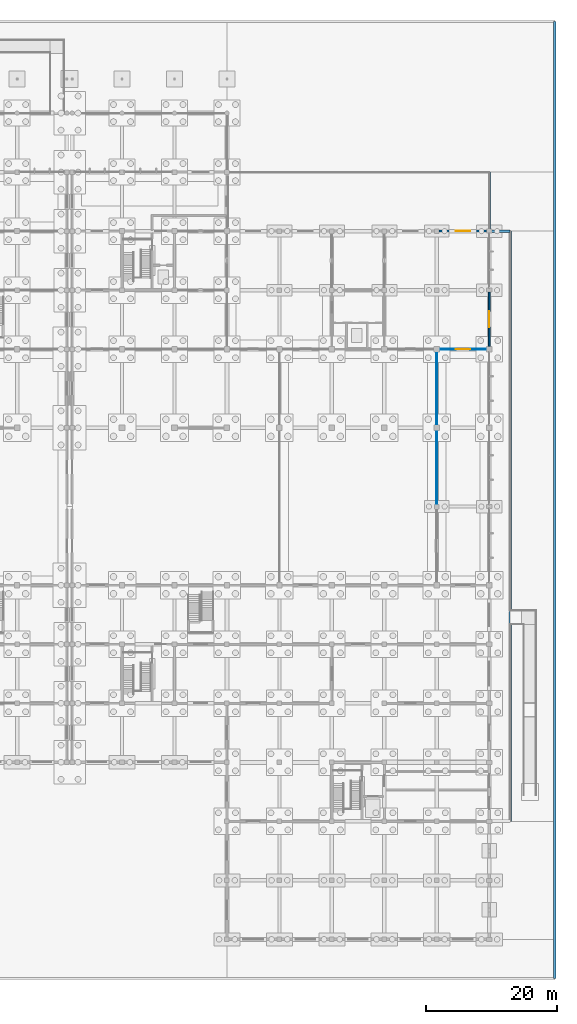
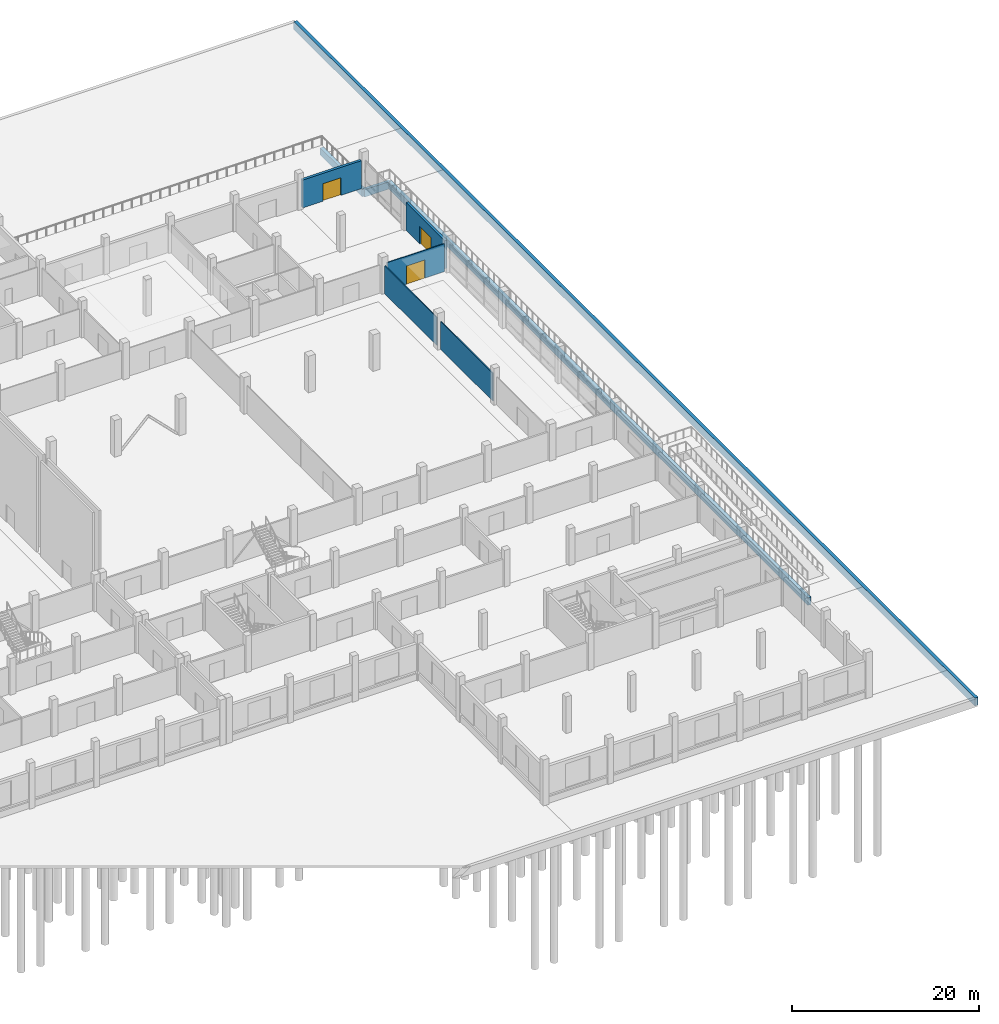
# One storey, part 57 of 72: 9 walls, 3 doors, 3 openings.
"""IFC4 building model written with IfcOpenShell, lengths in metres."""

from ifc_helpers import new_model, si_unit, direction, frame, frame_2d, origin, place, context, subcontext, project, spatial, rectangle, extrude, material, layer, layer_set, type_object, element, fill, save


model = new_model("IFC4")

# Units and contexts
model_context = context("Model", 3, precision=1e-05, world=origin(), true_north=direction((0.0, 1.0)))
body_context = subcontext(model_context, "Body", "Model", "MODEL_VIEW")
ifc_project = project(units=[si_unit("LENGTHUNIT", "METRE"), si_unit("AREAUNIT", "SQUARE_METRE"), si_unit("VOLUMEUNIT", "CUBIC_METRE"), si_unit("PLANEANGLEUNIT", "RADIAN"), si_unit("MASSUNIT", "GRAM", prefix="KILO"), si_unit("THERMODYNAMICTEMPERATUREUNIT", "KELVIN"), si_unit("POWERUNIT", "WATT")], contexts=[model_context])

# Site, building, storey
site_placement = place(None, origin())
site = spatial("IfcSite", under=ifc_project, at=site_placement, CompositionType="ELEMENT")
building_placement = place(site_placement, origin())
building = spatial("IfcBuilding", under=site, at=building_placement, Name="Kronsvod Quay Wholesale Market", CompositionType="ELEMENT")
storey_placement = place(building_placement, origin())
storey = spatial("IfcBuildingStorey", under=building, at=storey_placement, Name="L00", CompositionType="ELEMENT", Elevation=0.0)

# Wall, opening, door
ifc_material_1 = material(Name="Precast concrete C40/50", Category="concrete")
ifc_layer_1 = layer(ifc_material_1, 0.300048828125)
ifc_layer_set_1 = layer_set([ifc_layer_1], Name="Precast concrete C40/50")
wall_type_1 = type_object("IfcWallType", Name="Wall_ExtPrecast300", PredefinedType="SOLIDWALL", material=ifc_layer_set_1)
wall_1_placement = place(storey_placement, frame((192.0, 90.39501953125, 0.0), z_axis=(0.0, 0.0, 1.0), x_axis=(0.0, 1.0, 0.0)))
wall_1 = element("IfcWall", 1, at=wall_1_placement, inside=storey, type_object=wall_type_1, Name="EW-Y-L00-0098", PredefinedType="SOLIDWALL", context=body_context, shape_type="SweptSolid", body=[
    extrude(rectangle(XDim=8.31005859375, YDim=0.300048828125, at=frame_2d((4.155029296875, 0.0))), origin(), (0.0, 0.0, 1.0), 3.64990234375),
])
opening_1_placement = place(wall_1_placement, frame((2.955078125, 0.0, 0.0)))
opening_1 = element("IfcOpeningElement", 2, at=opening_1_placement, cuts=wall_1, Name="Opening ED-051", PredefinedType="OPENING", context=body_context, shape_type="SweptSolid", body=[
    extrude(rectangle(XDim=2.39990234375, YDim=2.300048828125, at=frame_2d((1.199951171875, 1.14990234375))), frame((0.0, 0.16015625, 0.0), z_axis=(0.0, -1.0, 0.0), x_axis=(1.0, 0.0, 0.0)), (0.0, 0.0, 1.0), 0.320068359375),
])
ifc_material_2 = material(Name="Aluminium and safety glass", Category="aluminium")
door_type_1 = type_object("IfcDoorType", Name="Door_ExitDouble240x230", OperationType="DOUBLE_DOOR_SINGLE_SWING", PredefinedType="DOOR", material=ifc_material_2)
door_1_placement = place(opening_1_placement, frame((2.39990234375, 0.0, 0.0), z_axis=(0.0, 0.0, 1.0), x_axis=(-1.0, 0.0, 0.0)))
door_1 = element("IfcDoor", 3, at=door_1_placement, inside=storey, type_object=door_type_1, Name="Street Exit Door ED-051", OperationType="DOUBLE_DOOR_SINGLE_SWING", OverallHeight=2.300048828125, OverallWidth=2.39990234375, PredefinedType="DOOR", context=body_context, shape_type="SweptSolid", body=[
    extrude(rectangle(XDim=2.39990234375, YDim=2.300048828125, at=frame_2d((1.199951171875, 1.14990234375))), frame((0.0, 0.02490234375, 0.0), z_axis=(0.0, -1.0, 0.0), x_axis=(1.0, 0.0, 0.0)), (0.0, 0.0, 1.0), 0.050048828125),
])
fill(opening_1, door_1)

ifc_material_3 = material(Name="Precast concrete C40/50", Category="concrete")
ifc_layer_2 = layer(ifc_material_3, 0.320068359375)
ifc_layer_set_2 = layer_set([ifc_layer_2], Name="Precast concrete C40/50")
wall_type_2 = type_object("IfcWallType", Name="Wall_ExtPrecast320", PredefinedType="SOLIDWALL", material=ifc_layer_set_2)
wall_2_placement = place(storey_placement, frame((191.60498046875, 108.0, 0.0), z_axis=(0.0, 0.0, 1.0), x_axis=(-1.0, 0.0, 0.0)))
wall_2 = element("IfcWall", 4, at=wall_2_placement, inside=storey, type_object=wall_type_2, Name="EW-X-L00-0077", PredefinedType="SOLIDWALL", context=body_context, shape_type="SweptSolid", body=[
    extrude(rectangle(XDim=7.260009765625, YDim=0.320068359375, at=frame_2d((3.6298828125, 0.0))), origin(), (0.0, 0.0, 1.0), 3.64990234375),
])
opening_2_placement = place(wall_2_placement, frame((2.530029296875, 0.0, 0.0)))
opening_2 = element("IfcOpeningElement", 5, at=opening_2_placement, cuts=wall_2, Name="Opening ED-043", PredefinedType="OPENING", context=body_context, shape_type="SweptSolid", body=[
    extrude(rectangle(XDim=2.199951171875, YDim=2.300048828125, at=frame_2d((1.10009765625, 1.14990234375))), frame((0.0, 0.169921875, 0.0), z_axis=(0.0, -1.0, 0.0), x_axis=(1.0, 0.0, 0.0)), (0.0, 0.0, 1.0), 0.340087890625),
])
ifc_material_4 = material(Name="Aluminium and safety glass", Category="aluminium")
door_type_2 = type_object("IfcDoorType", Name="Door_ExitDouble220x230", OperationType="DOUBLE_DOOR_SINGLE_SWING", PredefinedType="DOOR", material=ifc_material_4)
door_2_placement = place(opening_2_placement, frame((2.199951171875, 0.0, 0.0), z_axis=(0.0, 0.0, 1.0), x_axis=(-1.0, 0.0, 0.0)))
door_2 = element("IfcDoor", 6, at=door_2_placement, inside=storey, type_object=door_type_2, Name="Promenade Exit Door ED-043", OperationType="DOUBLE_DOOR_SINGLE_SWING", OverallHeight=2.300048828125, OverallWidth=2.199951171875, PredefinedType="DOOR", context=body_context, shape_type="SweptSolid", body=[
    extrude(rectangle(XDim=2.199951171875, YDim=2.300048828125, at=frame_2d((1.10009765625, 1.14990234375))), frame((0.0, 0.02490234375, 0.0), z_axis=(0.0, -1.0, 0.0), x_axis=(1.0, 0.0, 0.0)), (0.0, 0.0, 1.0), 0.050048828125),
])
fill(opening_2, door_2)

ifc_material_5 = material(Name="Double-glazed gallery screen partition", Category="glass")
ifc_layer_3 = layer(ifc_material_5, 0.10791015625)
ifc_layer_set_3 = layer_set([ifc_layer_3], Name="Double-glazed gallery screen partition")
wall_type_3 = type_object("IfcWallType", Name="Wall_PartGlazed108", PredefinedType="PARTITIONING", material=ifc_layer_set_3)
wall_3_placement = place(storey_placement, frame((184.419921875, 90.0, 0.0), z_axis=(0.0, 0.0, 1.0), x_axis=(1.0, 0.0, 0.0)))
wall_3 = element("IfcWall", 7, at=wall_3_placement, inside=storey, type_object=wall_type_3, Name="PW-L00-0122", PredefinedType="PARTITIONING", context=body_context, shape_type="SweptSolid", body=[
    extrude(rectangle(XDim=7.16015625, YDim=0.10791015625, at=frame_2d((3.580078125, 0.0))), origin(), (0.0, 0.0, 1.0), 3.64990234375),
])
opening_3_placement = place(wall_3_placement, frame((2.455078125, 0.0, 0.0)))
opening_3 = element("IfcOpeningElement", 8, at=opening_3_placement, cuts=wall_3, Name="Opening D-0190", PredefinedType="OPENING", context=body_context, shape_type="SweptSolid", body=[
    extrude(rectangle(XDim=2.25, YDim=2.3798828125, at=frame_2d((1.125, 1.18994140625))), frame((0.0, 0.06396484375, 0.0), z_axis=(0.0, -1.0, 0.0), x_axis=(1.0, 0.0, 0.0)), (0.0, 0.0, 1.0), 0.1279296875),
])
ifc_material_6 = material(Name="Glazed aluminium hall portal", Category="aluminium")
door_type_3 = type_object("IfcDoorType", Name="Door_HallPortal225x238", OperationType="DOUBLE_DOOR_SINGLE_SWING", PredefinedType="DOOR", material=ifc_material_6)
door_3_placement = place(opening_3_placement, origin())
door_3 = element("IfcDoor", 9, at=door_3_placement, inside=storey, type_object=door_type_3, Name="Interior Door D-0190", OperationType="DOUBLE_DOOR_SINGLE_SWING", OverallHeight=2.3798828125, OverallWidth=2.25, PredefinedType="DOOR", context=body_context, shape_type="SweptSolid", body=[
    extrude(rectangle(XDim=2.25, YDim=2.3798828125, at=frame_2d((1.125, 1.18994140625))), frame((0.0, 0.02490234375, 0.0), z_axis=(0.0, -1.0, 0.0), x_axis=(1.0, 0.0, 0.0)), (0.0, 0.0, 1.0), 0.050048828125),
])
fill(opening_3, door_3)

# Walls
ifc_material_7 = material(Name="Framed acoustic glass hall partition", Category="glass")
ifc_layer_4 = layer(ifc_material_7, 0.114990234375)
ifc_layer_set_4 = layer_set([ifc_layer_4], Name="Framed acoustic glass hall partition")
wall_type_4 = type_object("IfcWallType", Name="Wall_PartGlazed115", PredefinedType="PARTITIONING", material=ifc_layer_set_4)
for number, where, z_axis, x_axis, name in (
    (10, (184.0, 66.419921875, 0.0), (0.0, 0.0, 1.0), (0.0, 1.0, 0.0), "PW-L00-0118"),
    (11, (184.0, 78.419921875, 0.0), (0.0, 0.0, 1.0), (0.0, 1.0, 0.0), "PW-L00-0119"),
):
    element("IfcWall", number, at=place(storey_placement, frame(where, z_axis=z_axis, x_axis=x_axis)), inside=storey, type_object=wall_type_4, Name=name, PredefinedType="PARTITIONING", context=body_context, shape_type="SweptSolid", body=[
        extrude(rectangle(XDim=11.16015625, YDim=0.114990234375, at=frame_2d((5.580078125, 0.0))), origin(), (0.0, 0.0, 1.0), 3.64990234375),
    ])
ifc_material_8 = material(Name="Precast concrete C40/50", Category="concrete")
ifc_layer_5 = layer(ifc_material_8, 0.35009765625)
ifc_layer_set_5 = layer_set([ifc_layer_5], Name="Precast concrete C40/50")
wall_type_5 = type_object("IfcWallType", Name="Wall_PlinthSkirt350", PredefinedType="STANDARD", material=ifc_layer_set_5)
wall_4_placement = place(storey_placement, frame((192.0, 108.0, -1.25), z_axis=(0.0, 0.0, 1.0), x_axis=(1.0, 0.0, 0.0)))
element("IfcWall", 12, at=wall_4_placement, inside=storey, type_object=wall_type_5, Name="RW-EDK1", PredefinedType="STANDARD", context=body_context, shape_type="SweptSolid", body=[
    extrude(rectangle(XDim=3.199951171875, YDim=0.35009765625, at=frame_2d((1.60009765625, 0.0))), origin(), (0.0, 0.0, 1.0), 0.969970703125),
])
ifc_material_9 = material(Name="Precast concrete C40/50", Category="concrete")
ifc_layer_6 = layer(ifc_material_9, 0.39990234375)
ifc_layer_set_6 = layer_set([ifc_layer_6], Name="Precast concrete C40/50")
wall_type_6 = type_object("IfcWallType", Name="Wall_PlinthSkirt400", PredefinedType="STANDARD", material=ifc_layer_set_6)
wall_5_placement = place(storey_placement, frame((192.0, 108.0, -1.25), z_axis=(0.0, 0.0, 1.0), x_axis=(0.0, 1.0, 0.0)))
element("IfcWall", 13, at=wall_5_placement, inside=storey, type_object=wall_type_6, Name="RW-ENE3", PredefinedType="STANDARD", context=body_context, shape_type="SweptSolid", body=[
    extrude(rectangle(XDim=9.0, YDim=0.39990234375, at=frame_2d((4.5, 0.0))), origin(), (0.0, 0.0, 1.0), 0.969970703125),
])
wall_6_placement = place(storey_placement, frame((195.199951171875, 18.0, -1.25), z_axis=(0.0, 0.0, 1.0), x_axis=(0.0, 1.0, 0.0)))
element("IfcWall", 14, at=wall_6_placement, inside=storey, type_object=wall_type_6, Name="RW-EDK2", PredefinedType="STANDARD", context=body_context, shape_type="SweptSolid", body=[
    extrude(rectangle(XDim=90.0, YDim=0.39990234375, at=frame_2d((45.0, 0.0))), origin(), (0.0, 0.0, 1.0), 0.969970703125),
])
wall_7_placement = place(storey_placement, frame((202.0, -6.0, -2.25), z_axis=(0.0, 0.0, 1.0), x_axis=(0.0, 1.0, 0.0)))
element("IfcWall", 15, at=wall_7_placement, inside=storey, type_object=wall_type_6, Name="RW-QE", PredefinedType="STANDARD", context=body_context, shape_type="SweptSolid", body=[
    extrude(rectangle(XDim=146.0, YDim=0.39990234375, at=frame_2d((73.0, 0.0))), origin(), (0.0, 0.0, 1.0), 1.050048828125),
])

save(model, "model.ifc")
